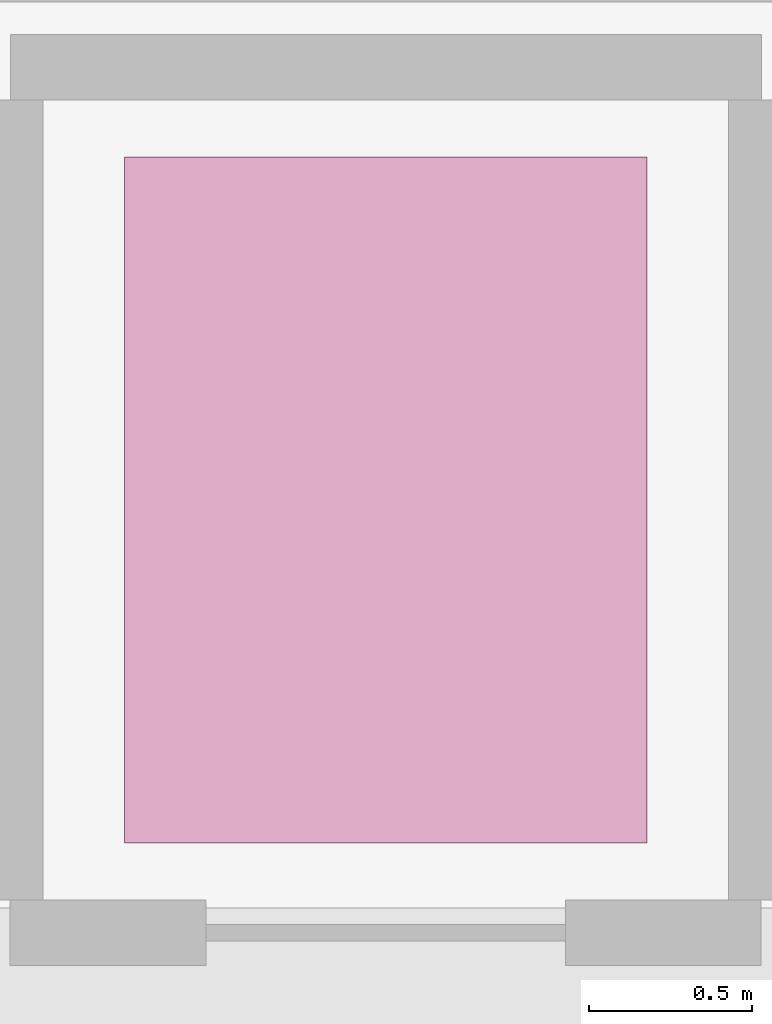
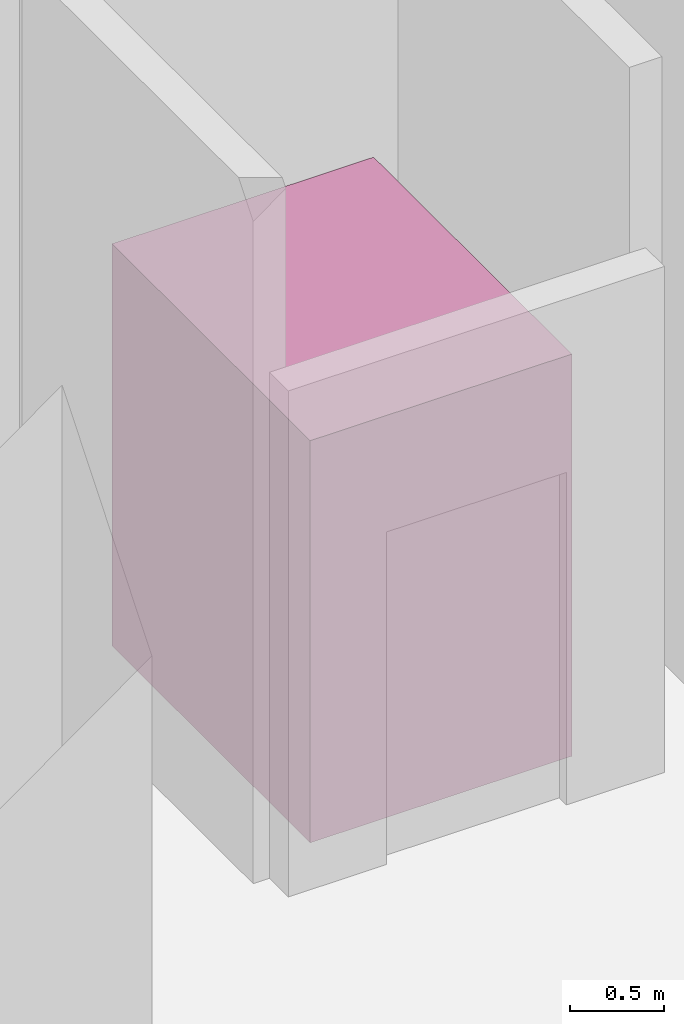
# One storey, part 31 of 31: 1 transport element.
"""IFC4 building model written with IfcOpenShell, lengths in metres."""

from ifc_helpers import new_model, si_unit, direction, frame, origin, origin_2d, place, context, subcontext, project, spatial, rectangle, extrude, material, type_object, element, save


model = new_model("IFC4")

# Units and contexts
model_context = context("Model", 3, precision=1e-05, world=origin(), true_north=direction((0.0, 1.0)))
body_context = subcontext(model_context, "Body", "Model", "MODEL_VIEW")
ifc_project = project(units=[si_unit("LENGTHUNIT", "METRE"), si_unit("AREAUNIT", "SQUARE_METRE"), si_unit("VOLUMEUNIT", "CUBIC_METRE"), si_unit("PLANEANGLEUNIT", "RADIAN"), si_unit("MASSUNIT", "GRAM", prefix="KILO")], contexts=[model_context])

# Site, building, storey
site_placement = place(None, origin())
site = spatial("IfcSite", under=ifc_project, at=site_placement, CompositionType="ELEMENT")
building_placement = place(site_placement, origin())
building = spatial("IfcBuilding", under=site, at=building_placement, Name="Kelarvand Opera House", CompositionType="ELEMENT")
storey_placement = place(building_placement, frame((0.0, 0.0, -4.800048828125)))
storey = spatial("IfcBuildingStorey", under=building, at=storey_placement, Name="B1", CompositionType="ELEMENT", Elevation=-4.800048828125)

# Transport element
ifc_material = material(Name="Brushed stainless steel and bronze lift cab", Category="steel")
transport_element_type = type_object("IfcTransportElementType", Name="Public Passenger Lift 1600kg (1600x2100)", PredefinedType="ELEVATOR", material=ifc_material)
transport_element_placement = place(storey_placement, frame((98.449951171875, 64.125, 0.0), z_axis=(0.0, 0.0, 1.0), x_axis=(1.0, 0.0, 0.0)))
element("IfcTransportElement", 1, at=transport_element_placement, inside=storey, type_object=transport_element_type, Name="Public Foyer Passenger Lift PL-01", PredefinedType="ELEVATOR", context=body_context, shape_type="SweptSolid", body=[
    extrude(rectangle(XDim=1.60009765625, YDim=2.10009765625, at=origin_2d()), origin(), (0.0, 0.0, 1.0), 2.60009765625),
])

save(model, "model.ifc")
